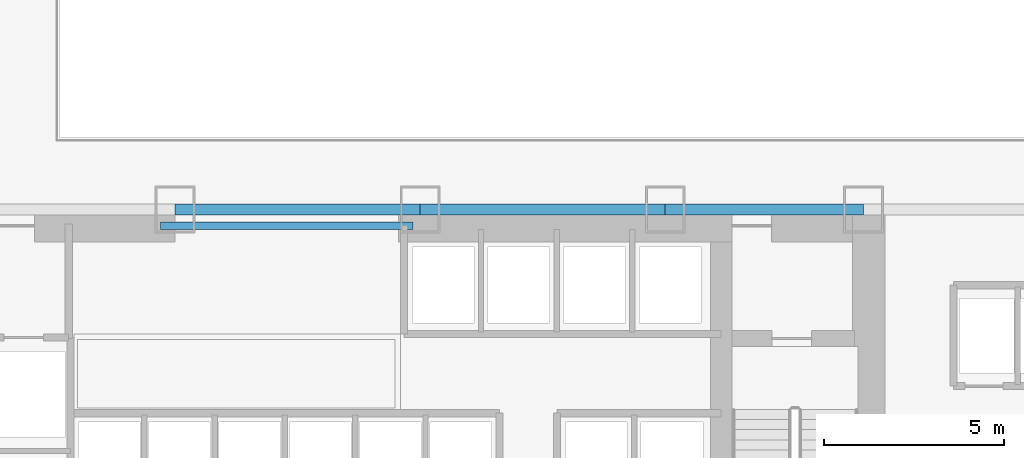
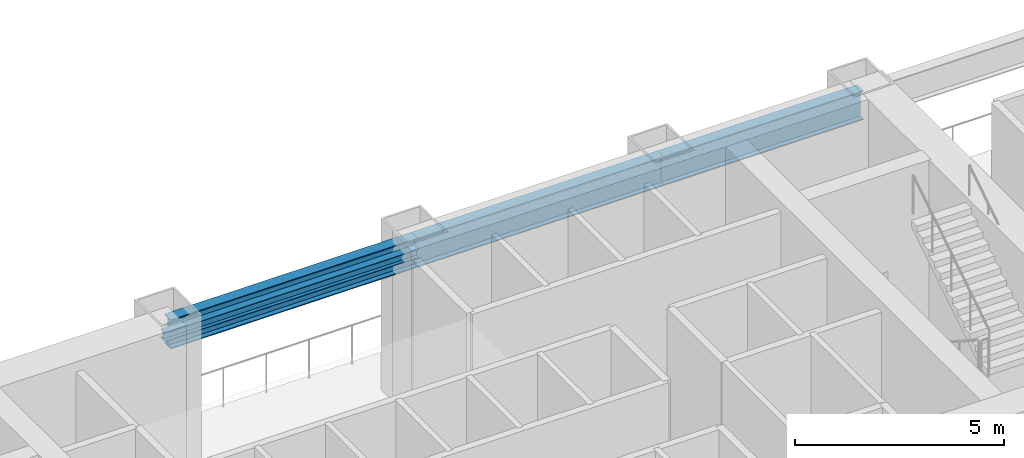
# One storey, part 7 of 40: 4 beams.
"""IFC4 building model written with IfcOpenShell, lengths in metres."""

from ifc_helpers import new_model, si_unit, derived_unit, direction, frame, origin, origin_2d, place, context, subcontext, project, spatial, i_section, extrude, source, transform, mapped, material, material_profile, profile_set, type_object, element, save


model = new_model("IFC4")

# Units and contexts
model_context = context("Model", 3, precision=1e-05, world=origin(), true_north=direction((0.0, 1.0)))
body_context = subcontext(model_context, "Body", "Model", "MODEL_VIEW")
ifc_project = project(units=[si_unit("LENGTHUNIT", "METRE"), si_unit("AREAUNIT", "SQUARE_METRE"), si_unit("VOLUMEUNIT", "CUBIC_METRE"), si_unit("PLANEANGLEUNIT", "RADIAN"), si_unit("MASSUNIT", "GRAM", prefix="KILO"), derived_unit("THERMALTRANSMITTANCEUNIT", [(si_unit("POWERUNIT", "WATT"), 1), (si_unit("LENGTHUNIT", "METRE"), -2), (si_unit("THERMODYNAMICTEMPERATUREUNIT", "KELVIN"), -1)])], contexts=[model_context])

# Site, building, storey
site_placement = place(None, origin())
site = spatial("IfcSite", under=ifc_project, at=site_placement, CompositionType="ELEMENT")
building_placement = place(site_placement, origin())
building = spatial("IfcBuilding", under=site, at=building_placement, Name="Skarnbrae Concourse Arena and Tower", CompositionType="ELEMENT")
storey_placement = place(building_placement, frame((0.0, 0.0, 6.0)))
storey = spatial("IfcBuildingStorey", under=building, at=storey_placement, Name="L01", CompositionType="ELEMENT", Elevation=6.0)

# Beams
ifc_material = material(Name="Steel CSA G40.21 350W", Category="steel")
ifc_material_profile_1 = material_profile(ifc_material, i_section(OverallWidth=0.202880859375, OverallDepth=0.251953125, WebThickness=0.008056640625, FlangeThickness=0.013427734375, at=origin_2d()), Name="W250X58")
ifc_profile_set_1 = profile_set([ifc_material_profile_1], Name="Steel CSA G40.21 350W")
beam_type_1 = type_object("IfcBeamType", Name="BM-LINTEL-W250X58", PredefinedType="LINTEL", material=ifc_profile_set_1)
shared_shape_1 = source(origin(), body_context, "Body", "SweptSolid", [
    extrude(i_section(OverallWidth=0.202880859375, OverallDepth=0.251953125, WebThickness=0.008056640625, FlangeThickness=0.013427734375, at=origin_2d()), origin(), (0.0, 0.0, 1.0), 7.0),
])
beam_1_placement = place(storey_placement, frame((14.0, 13.550048828125, 4.573974609375), z_axis=(1.0, 0.0, 0.0), x_axis=(0.0, 1.0, 0.0)))
element("IfcBeam", 1, at=beam_1_placement, inside=storey, type_object=beam_type_1, Name="L01 Core portal coupling lintel", PredefinedType="LINTEL", context=body_context, shape_type="MappedRepresentation", body=[
    mapped(shared_shape_1, transform((0.0, 0.0, 0.0))),
])
ifc_material_profile_2 = material_profile(ifc_material, i_section(OverallWidth=0.2939453125, OverallDepth=0.85107421875, WebThickness=0.01611328125, FlangeThickness=0.02685546875, at=origin_2d()), Name="W840X226")
ifc_profile_set_2 = profile_set([ifc_material_profile_2], Name="Steel CSA G40.21 350W")
beam_type_2 = type_object("IfcBeamType", Name="BM-GIRD-W840X226", PredefinedType="BEAM", material=ifc_profile_set_2)
shared_shape_2 = source(origin(), body_context, "Body", "SweptSolid", [
    extrude(i_section(OverallWidth=0.2939453125, OverallDepth=0.85107421875, WebThickness=0.01611328125, FlangeThickness=0.02685546875, at=origin_2d()), origin(), (0.0, 0.0, 1.0), 6.800048828125),
])
for number, where, z_axis, x_axis, name in (
    (2, (14.39990234375, 14.0, 4.2744140625), (1.0, 0.0, 0.0), (0.0, 1.0, 0.0), "L01 Podium south spine girder 3"),
    (3, (21.199951171875, 14.0, 4.2744140625), (1.0, 0.0, 0.0), (0.0, 1.0, 0.0), "L01 Podium south spine girder 4"),
):
    element("IfcBeam", number, at=place(storey_placement, frame(where, z_axis=z_axis, x_axis=x_axis)), inside=storey, type_object=beam_type_2, Name=name, PredefinedType="BEAM", context=body_context, shape_type="MappedRepresentation", body=[
        mapped(shared_shape_2, transform((0.0, 0.0, 0.0))),
    ])
shared_shape_3 = source(origin(), body_context, "Body", "SweptSolid", [
    extrude(i_section(OverallWidth=0.2939453125, OverallDepth=0.85107421875, WebThickness=0.01611328125, FlangeThickness=0.02685546875, at=origin_2d()), origin(), (0.0, 0.0, 1.0), 5.5),
])
beam_2_placement = place(storey_placement, frame((28.0, 14.0, 4.2744140625), z_axis=(1.0, 0.0, 0.0), x_axis=(0.0, 1.0, 0.0)))
element("IfcBeam", 4, at=beam_2_placement, inside=storey, type_object=beam_type_2, Name="L01 Podium south spine girder 5", PredefinedType="BEAM", context=body_context, shape_type="MappedRepresentation", body=[
    mapped(shared_shape_3, transform((0.0, 0.0, 0.0))),
])

save(model, "model.ifc")
